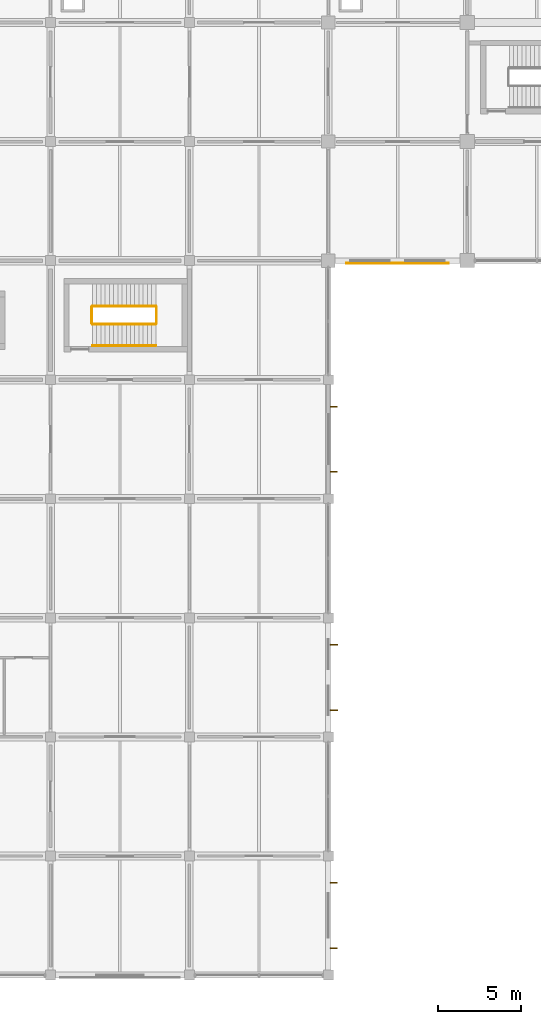
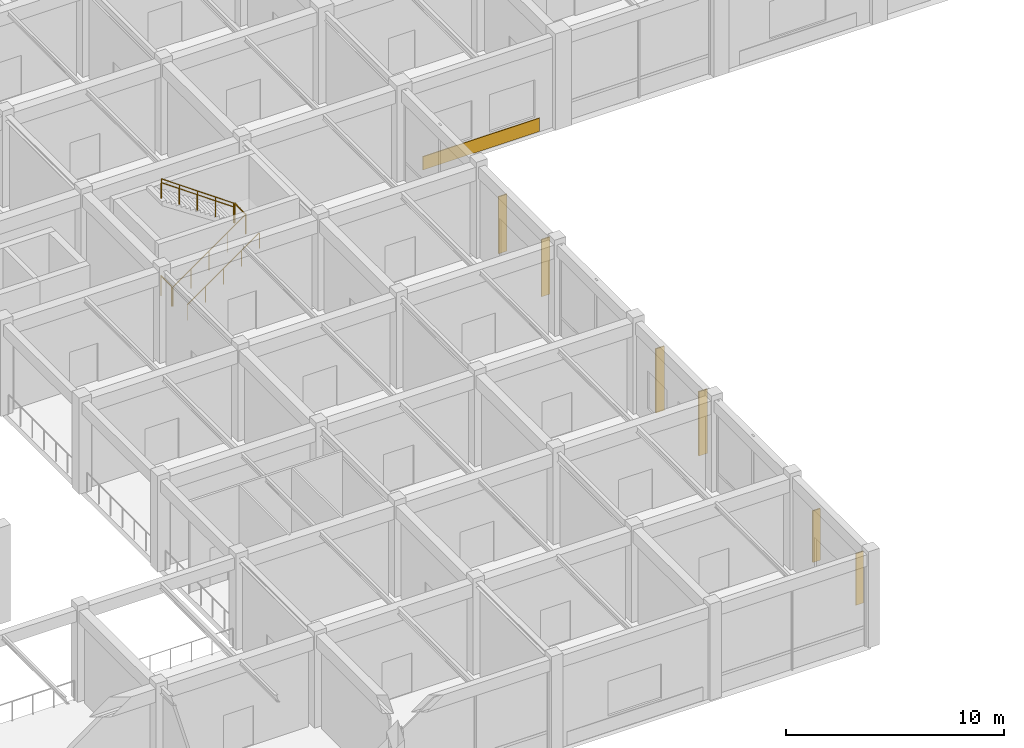
# One storey, part 35 of 38: 6 railings, 6 shading devices, 1 covering.
"""IFC4 building model written with IfcOpenShell, lengths in metres."""

from ifc_helpers import new_model, si_unit, derived_unit, direction, frame, origin, origin_2d, place, context, subcontext, project, spatial, rectangle, circle, extrude, material, layer, layer_set, type_object, element, save


model = new_model("IFC4")

# Units and contexts
model_context = context("Model", 3, precision=1e-05, world=origin(), true_north=direction((0.0, 1.0)))
body_context = subcontext(model_context, "Body", "Model", "MODEL_VIEW")
ifc_project = project(units=[si_unit("LENGTHUNIT", "METRE"), si_unit("AREAUNIT", "SQUARE_METRE"), si_unit("VOLUMEUNIT", "CUBIC_METRE"), si_unit("PLANEANGLEUNIT", "RADIAN"), si_unit("MASSUNIT", "GRAM", prefix="KILO"), derived_unit("THERMALTRANSMITTANCEUNIT", [(si_unit("MASSUNIT", "GRAM", prefix="KILO"), 1), (si_unit("TIMEUNIT", "SECOND"), -3), (si_unit("THERMODYNAMICTEMPERATUREUNIT", "KELVIN"), -1)])], contexts=[model_context])

# Site, building, storey
site_placement = place(None, origin())
site = spatial("IfcSite", under=ifc_project, at=site_placement, CompositionType="ELEMENT")
building_placement = place(site_placement, origin())
building = spatial("IfcBuilding", under=site, at=building_placement, Name="Veldstrom Oceanarium and Marine Research Institute", CompositionType="ELEMENT")
storey_placement = place(building_placement, frame((0.0, 0.0, 11.39990234375)))
storey = spatial("IfcBuildingStorey", under=building, at=storey_placement, Name="L02", CompositionType="ELEMENT", Elevation=11.39990234375)

# Covering
ifc_material_1 = material(Name="Terracotta Spandrel Rainscreen Cladding", Category="masonry")
ifc_layer_1 = layer(ifc_material_1, 0.75)
ifc_layer_set_1 = layer_set([ifc_layer_1], Name="ARC-COV-CD2")
covering_type = type_object("IfcCoveringType", Name="ARC-COV-CD2", PredefinedType="CLADDING", material=ifc_layer_set_1)
covering_placement = place(storey_placement, frame((71.387451171875, 43.0390625, 0.045166015625), z_axis=(0.0, 0.0, 1.0), x_axis=(1.0, 0.0, 0.0)))
element("IfcCovering", 1, at=covering_placement, inside=storey, type_object=covering_type, Name="Spandrel Rainscreen Cladding L02-075", PredefinedType="CLADDING", context=body_context, shape_type="SweptSolid", body=[
    extrude(rectangle(XDim=6.199951171875, YDim=0.0400390625, at=origin_2d()), origin(), (0.0, 0.0, 1.0), 0.75),
])

# Railings
ifc_material_2 = material(Name="Duplex Stainless Steel Balustrade", Category="steel")
ifc_layer_2 = layer(ifc_material_2, 0.06005859375)
ifc_layer_set_2 = layer_set([ifc_layer_2], Name="ARC-RLG-GR1")
railing_type_1 = type_object("IfcRailingType", Name="ARC-RLG-GR1", PredefinedType="GUARDRAIL", material=ifc_layer_set_2)
railing_1_placement = place(storey_placement, frame((52.89990234375, 39.39990234375, 0.0)))
element("IfcRailing", 2, at=railing_1_placement, inside=storey, type_object=railing_type_1, Name="Stair Well Landing Guard ST6 L02", PredefinedType="GUARDRAIL", context=body_context, shape_type="SweptSolid", body=[
    extrude(circle(Radius=0.02392578125, at=origin_2d()), frame((0.0, 0.0, 1.09619140625), z_axis=(0.0, 1.0, 0.0), x_axis=(-1.0, 0.0, 0.0)), (0.0, 0.0, 1.0), 1.0),
    extrude(circle(Radius=0.02099609375, at=origin_2d()), origin(), (0.0, 0.0, 1.0), 1.072021484375),
    extrude(circle(Radius=0.02099609375, at=origin_2d()), frame((0.0, 1.0, 0.0)), (0.0, 0.0, 1.0), 1.072021484375),
])
railing_2_placement = place(storey_placement, frame((52.93994140625, 39.360107421875, 0.0)))
element("IfcRailing", 3, at=railing_2_placement, inside=storey, type_object=railing_type_1, Name="Stair Flight Guardrail ST6-L02-1", PredefinedType="GUARDRAIL", context=body_context, shape_type="SweptSolid", body=[
    extrude(circle(Radius=0.02392578125, at=origin_2d()), frame((0.0, 0.0, 1.09619140625), z_axis=(0.816944740886, 0.0, 0.576715952908), x_axis=(0.0, 1.0, 0.0)), (0.0, 0.0, 1.0), 4.68212890625),
    extrude(circle(Radius=0.02099609375, at=origin_2d()), origin(), (0.0, 0.0, 1.0), 1.072021484375),
    extrude(circle(Radius=0.02099609375, at=origin_2d()), frame((0.956298828125, 0.0, 0.675048828125)), (0.0, 0.0, 1.0), 1.072021484375),
    extrude(circle(Radius=0.02099609375, at=origin_2d()), frame((1.91259765625, 0.0, 1.35009765625)), (0.0, 0.0, 1.0), 1.072021484375),
    extrude(circle(Radius=0.02099609375, at=origin_2d()), frame((2.86865234375, 0.0, 2.025146484375)), (0.0, 0.0, 1.0), 1.072021484375),
    extrude(circle(Radius=0.02099609375, at=origin_2d()), frame((3.824951171875, 0.0, 2.7001953125)), (0.0, 0.0, 1.0), 1.072021484375),
])
railing_3_placement = place(storey_placement, frame((56.804931640625, 39.39990234375, 2.7001953125)))
element("IfcRailing", 4, at=railing_3_placement, inside=storey, type_object=railing_type_1, Name="Stair Half-Landing Guardrail ST6-L02", PredefinedType="GUARDRAIL", context=body_context, shape_type="SweptSolid", body=[
    extrude(circle(Radius=0.02392578125, at=origin_2d()), frame((0.0, 0.0, 1.09619140625), z_axis=(0.0, 1.0, 0.0), x_axis=(-1.0, 0.0, 0.0)), (0.0, 0.0, 1.0), 1.0),
    extrude(circle(Radius=0.02099609375, at=origin_2d()), origin(), (0.0, 0.0, 1.0), 1.072021484375),
    extrude(circle(Radius=0.02099609375, at=origin_2d()), frame((0.0, 1.0, 0.0)), (0.0, 0.0, 1.0), 1.072021484375),
])
railing_4_placement = place(storey_placement, frame((56.764892578125, 40.43994140625, 2.7001953125)))
element("IfcRailing", 5, at=railing_4_placement, inside=storey, type_object=railing_type_1, Name="Stair Flight Guardrail ST6-L02-2", PredefinedType="GUARDRAIL", context=body_context, shape_type="SweptSolid", body=[
    extrude(circle(Radius=0.02392578125, at=origin_2d()), frame((0.0, 0.0, 1.09619140625), z_axis=(-0.816969308413, 0.0, 0.5766811503), x_axis=(0.0, -1.0, 0.0)), (0.0, 0.0, 1.0), 4.681884765625),
    extrude(circle(Radius=0.02099609375, at=origin_2d()), origin(), (0.0, 0.0, 1.0), 1.072021484375),
    extrude(circle(Radius=0.02099609375, at=origin_2d()), frame((-0.956298828125, 0.0, 0.675048828125)), (0.0, 0.0, 1.0), 1.072021484375),
    extrude(circle(Radius=0.02099609375, at=origin_2d()), frame((-1.91259765625, 0.0, 1.35009765625)), (0.0, 0.0, 1.0), 1.072021484375),
    extrude(circle(Radius=0.02099609375, at=origin_2d()), frame((-2.86865234375, 0.0, 2.02490234375)), (0.0, 0.0, 1.0), 1.072021484375),
    extrude(circle(Radius=0.02099609375, at=origin_2d()), frame((-3.824951171875, 0.0, 2.699951171875)), (0.0, 0.0, 1.0), 1.072021484375),
])
ifc_material_3 = material(Name="Brushed Stainless Steel Handrail", Category="steel")
ifc_layer_3 = layer(ifc_material_3, 0.050048828125)
ifc_layer_set_3 = layer_set([ifc_layer_3], Name="ARC-RLG-HR1")
railing_type_2 = type_object("IfcRailingType", Name="ARC-RLG-HR1", PredefinedType="HANDRAIL", material=ifc_layer_set_3)
railing_5_placement = place(storey_placement, frame((52.93994140625, 38.06005859375, 0.0)))
element("IfcRailing", 6, at=railing_5_placement, inside=storey, type_object=railing_type_2, Name="Stair Wall Handrail ST6-L02-1", PredefinedType="HANDRAIL", context=body_context, shape_type="SweptSolid", body=[
    extrude(circle(Radius=0.02392578125, at=origin_2d()), frame((0.0, 0.0, 0.8759765625), z_axis=(0.816944740886, 0.0, 0.576715952908), x_axis=(0.0, 1.0, 0.0)), (0.0, 0.0, 1.0), 4.68212890625),
    extrude(circle(Radius=0.02099609375, at=origin_2d()), origin(), (0.0, 0.0, 1.0), 0.851806640625),
    extrude(circle(Radius=0.02099609375, at=origin_2d()), frame((0.956298828125, 0.0, 0.675048828125)), (0.0, 0.0, 1.0), 0.851806640625),
    extrude(circle(Radius=0.02099609375, at=origin_2d()), frame((1.91259765625, 0.0, 1.35009765625)), (0.0, 0.0, 1.0), 0.851806640625),
    extrude(circle(Radius=0.02099609375, at=origin_2d()), frame((2.86865234375, 0.0, 2.025146484375)), (0.0, 0.0, 1.0), 0.851806640625),
    extrude(circle(Radius=0.02099609375, at=origin_2d()), frame((3.824951171875, 0.0, 2.7001953125)), (0.0, 0.0, 1.0), 0.851806640625),
])
railing_6_placement = place(storey_placement, frame((56.764892578125, 40.4599609375, 2.7001953125)))
element("IfcRailing", 7, at=railing_6_placement, inside=storey, type_object=railing_type_2, Name="Stair Wall Handrail ST6-L02-2", PredefinedType="HANDRAIL", context=body_context, shape_type="SweptSolid", body=[
    extrude(circle(Radius=0.02392578125, at=origin_2d()), frame((0.0, 0.0, 0.8759765625), z_axis=(-0.816969308413, 0.0, 0.5766811503), x_axis=(0.0, -1.0, 0.0)), (0.0, 0.0, 1.0), 4.681884765625),
    extrude(circle(Radius=0.02099609375, at=origin_2d()), origin(), (0.0, 0.0, 1.0), 0.851806640625),
    extrude(circle(Radius=0.02099609375, at=origin_2d()), frame((-0.956298828125, 0.0, 0.675048828125)), (0.0, 0.0, 1.0), 0.851806640625),
    extrude(circle(Radius=0.02099609375, at=origin_2d()), frame((-1.91259765625, 0.0, 1.35009765625)), (0.0, 0.0, 1.0), 0.851806640625),
    extrude(circle(Radius=0.02099609375, at=origin_2d()), frame((-2.86865234375, 0.0, 2.02490234375)), (0.0, 0.0, 1.0), 0.851806640625),
    extrude(circle(Radius=0.02099609375, at=origin_2d()), frame((-3.824951171875, 0.0, 2.699951171875)), (0.0, 0.0, 1.0), 0.851806640625),
])

# Shading devices
ifc_material_4 = material(Name="Precast Terracotta Brise-Soleil Louvre", Category="masonry")
ifc_layer_4 = layer(ifc_material_4, 3.60009765625)
ifc_layer_set_4 = layer_set([ifc_layer_4], Name="ARC-SHD-BS01")
shading_device_type_1 = type_object("IfcShadingDeviceType", Name="ARC-SHD-BS01", PredefinedType="JALOUSIE", material=ifc_layer_set_4)
for number, where, z_axis, x_axis, name in (
    (8, (67.544921875, 16.02001953125, 0.75), (0.0, 0.0, 1.0), (1.0, 0.0, 0.0), "Terracotta Brise-Soleil Louvre L02-072"),
    (9, (67.544921875, 19.97998046875, 0.75), (0.0, 0.0, 1.0), (1.0, 0.0, 0.0), "Terracotta Brise-Soleil Louvre L02-072"),
):
    element("IfcShadingDevice", number, at=place(storey_placement, frame(where, z_axis=z_axis, x_axis=x_axis)), inside=storey, type_object=shading_device_type_1, Name=name, PredefinedType="JALOUSIE", context=body_context, shape_type="SweptSolid", body=[
        extrude(rectangle(XDim=0.449951171875, YDim=0.06005859375, at=origin_2d()), origin(), (0.0, 0.0, 1.0), 3.60009765625),
    ])
ifc_material_5 = material(Name="Precast Terracotta Brise-Soleil Louvre", Category="masonry")
ifc_layer_5 = layer(ifc_material_5, 3.199951171875)
ifc_layer_set_5 = layer_set([ifc_layer_5], Name="ARC-SHD-BS02")
shading_device_type_2 = type_object("IfcShadingDeviceType", Name="ARC-SHD-BS02", PredefinedType="JALOUSIE", material=ifc_layer_set_5)
for number, where, z_axis, x_axis, name in (
    (10, (67.527587890625, 30.419921875, 0.9501953125), (0.0, 0.0, 1.0), (1.0, 0.0, 0.0), "Terracotta Brise-Soleil Louvre L02-073"),
    (11, (67.527587890625, 34.3798828125, 0.9501953125), (0.0, 0.0, 1.0), (1.0, 0.0, 0.0), "Terracotta Brise-Soleil Louvre L02-073"),
):
    element("IfcShadingDevice", number, at=place(storey_placement, frame(where, z_axis=z_axis, x_axis=x_axis)), inside=storey, type_object=shading_device_type_2, Name=name, PredefinedType="JALOUSIE", context=body_context, shape_type="SweptSolid", body=[
        extrude(rectangle(XDim=0.449951171875, YDim=0.06005859375, at=origin_2d()), origin(), (0.0, 0.0, 1.0), 3.199951171875),
    ])
ifc_material_6 = material(Name="Precast Terracotta Brise-Soleil Louvre", Category="masonry")
ifc_layer_6 = layer(ifc_material_6, 2.89990234375)
ifc_layer_set_6 = layer_set([ifc_layer_6], Name="ARC-SHD-BS04")
shading_device_type_3 = type_object("IfcShadingDeviceType", Name="ARC-SHD-BS04", PredefinedType="JALOUSIE", material=ifc_layer_set_6)
for number, where, z_axis, x_axis, name in (
    (12, (67.530029296875, 1.6201171875, 1.10009765625), (0.0, 0.0, 1.0), (1.0, 0.0, 0.0), "Terracotta Brise-Soleil Louvre L02-071"),
    (13, (67.530029296875, 5.580078125, 1.10009765625), (0.0, 0.0, 1.0), (1.0, 0.0, 0.0), "Terracotta Brise-Soleil Louvre L02-071"),
):
    element("IfcShadingDevice", number, at=place(storey_placement, frame(where, z_axis=z_axis, x_axis=x_axis)), inside=storey, type_object=shading_device_type_3, Name=name, PredefinedType="JALOUSIE", context=body_context, shape_type="SweptSolid", body=[
        extrude(rectangle(XDim=0.39990234375, YDim=0.054931640625, at=origin_2d()), origin(), (0.0, 0.0, 1.0), 2.89990234375),
    ])

save(model, "model.ifc")
